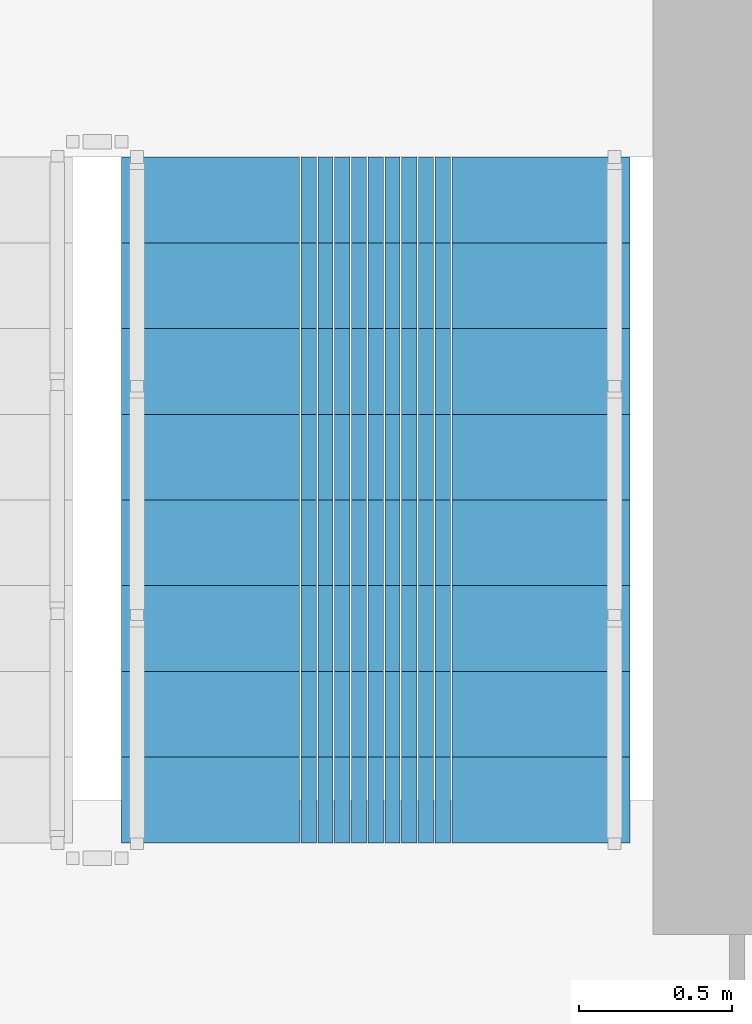
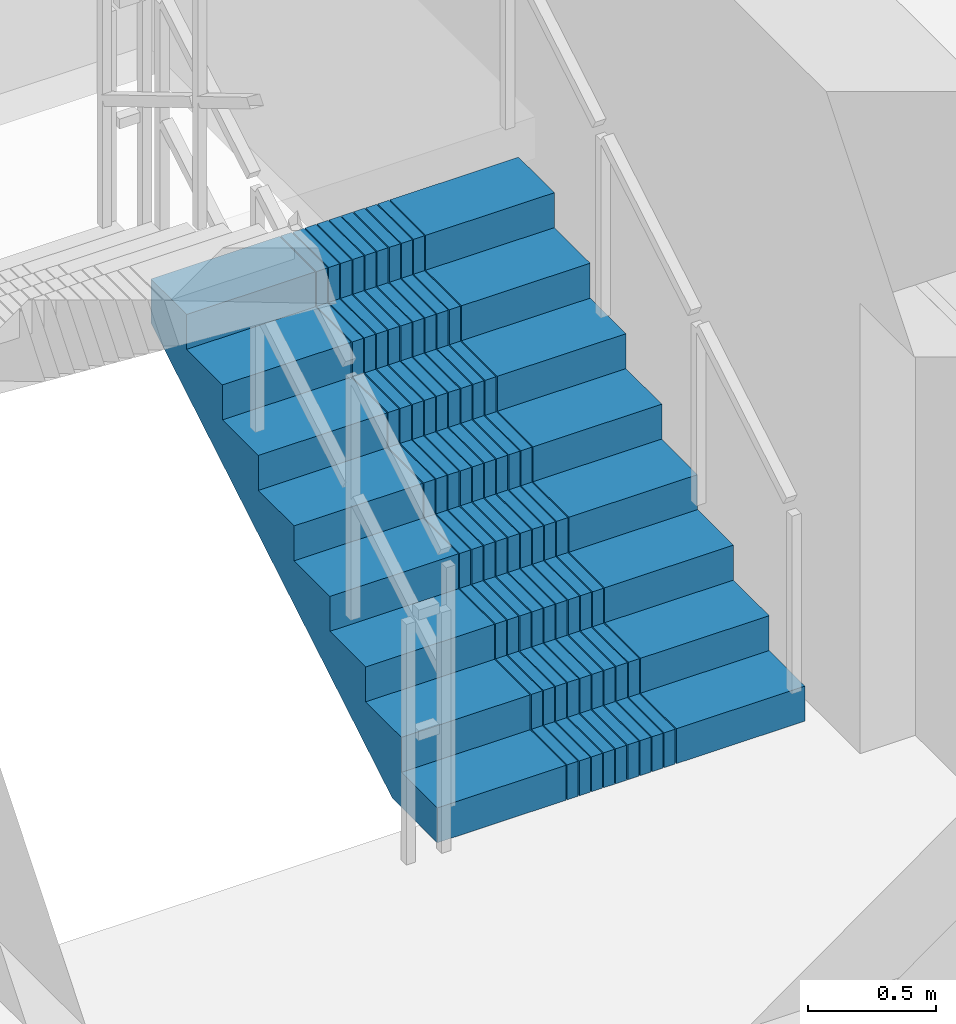
# One storey, part 10 of 14: 1 stair flight, 1 element without a shape of its own.
"""IFC4 building model written with IfcOpenShell, lengths in metres."""

import ifcopenshell
import ifcopenshell.guid

model = None  # the IFC model being written
_history = None  # IfcOwnerHistory: only IFC2X3 demands one
_inside = {}  # id of a spatial element -> (the spatial element, [elements in it])
_under = {}  # id of a project, library or spatial element -> (it, [spatial elements below it])
_declared = {}  # id of a project -> (the project, [libraries it declares])
_typed = {}  # id of a type object -> (the type object, [elements of that type])
_made_of = {}  # id of a material, layer set ... -> (it, [elements and type objects made of it])


def new_model(schema):
    """Start an empty IFC model of exactly this schema.

    Asked for "IFC4X3", IfcOpenShell would pick the latest addendum, in which some entities
    have other attributes; the version numbers below select the first issue.
    IFC2X3 requires an IfcOwnerHistory on every rooted entity: one is made here for all.
    """
    global model, _history
    if schema == "IFC4X3":
        model = ifcopenshell.file(schema_version=(4, 3, 0, 0))
    else:
        model = ifcopenshell.file(schema=schema)
    _inside.clear()
    _under.clear()
    _declared.clear()
    _typed.clear()
    _made_of.clear()
    _history = None
    if model.schema == "IFC2X3":
        org = make("IfcOrganization", Name="unknown")
        user = make(
            "IfcPersonAndOrganization",
            ThePerson=make("IfcPerson", FamilyName="unknown"),
            TheOrganization=org,
        )
        app = make(
            "IfcApplication",
            ApplicationDeveloper=org,
            Version="unknown",
            ApplicationFullName="unknown",
            ApplicationIdentifier="unknown",
        )
        _history = make(
            "IfcOwnerHistory",
            OwningUser=user,
            OwningApplication=app,
            ChangeAction="ADDED",
            CreationDate=0,
        )
    return model


def make(cls, **values):
    """One entity of the class cls with the attributes given. An attribute that is None is left unset."""
    return model.create_entity(
        cls, **{name: value for name, value in values.items() if value is not None}
    )


def rooted(cls, **values):
    """An entity with a GlobalId (a new one), such as an element, a storey or a relation."""
    return make(cls, GlobalId=ifcopenshell.guid.new(), OwnerHistory=_history, **values)


def si_unit(unit_type, name, prefix=None):
    """IfcSIUnit, for example si_unit("LENGTHUNIT", "METRE", prefix="MILLI")."""
    return make("IfcSIUnit", UnitType=unit_type, Prefix=prefix, Name=name)


def assignment(units):
    """IfcUnitAssignment: the units of a project."""
    return None if units is None else make("IfcUnitAssignment", Units=units)


def point(xyz):
    """IfcCartesianPoint."""
    return None if xyz is None else make("IfcCartesianPoint", Coordinates=xyz)


def direction(xyz):
    """IfcDirection."""
    return None if xyz is None else make("IfcDirection", DirectionRatios=xyz)


def frame(location, z_axis=None, x_axis=None):
    """IfcAxis2Placement3D, a coordinate frame: its origin and axes. An axis left out is left unset."""
    return make(
        "IfcAxis2Placement3D",
        Location=point(location),
        Axis=direction(z_axis),
        RefDirection=direction(x_axis),
    )


def origin():
    """The frame at (0, 0, 0) with its axes left unset."""
    return frame((0.0, 0.0, 0.0))


def place(relative_to, where):
    """IfcLocalPlacement: puts the frame where relative to a parent placement (None: the world)."""
    return make(
        "IfcLocalPlacement", PlacementRelTo=relative_to, RelativePlacement=where
    )


def context(
    kind, dimensions, precision=None, world=None, true_north=None, identifier=None
):
    """IfcGeometricRepresentationContext, for example the 3D "Model" context."""
    return make(
        "IfcGeometricRepresentationContext",
        ContextIdentifier=identifier,
        ContextType=kind,
        CoordinateSpaceDimension=dimensions,
        Precision=precision,
        WorldCoordinateSystem=world,
        TrueNorth=true_north,
    )


def subcontext(parent, identifier, kind, view, scale=None):
    """IfcGeometricRepresentationSubContext, for example "Body" below "Model"."""
    return make(
        "IfcGeometricRepresentationSubContext",
        ContextIdentifier=identifier,
        ContextType=kind,
        ParentContext=parent,
        TargetScale=scale,
        TargetView=view,
    )


def project(units=None, contexts=None):
    """IfcProject with its units and contexts."""
    return rooted(
        "IfcProject",
        Name="project",
        RepresentationContexts=contexts,
        UnitsInContext=assignment(units),
    )


def spatial(cls, under=None, at=None, **own):
    """A site, building, storey or space (cls), placed at a placement, below another one or the project."""
    s = rooted(cls, ObjectPlacement=at, **own)
    if under is not None:
        _under.setdefault(under.id(), (under, []))[1].append(s)
    return s


def polyline(points):
    """IfcPolyline through the points."""
    return make("IfcPolyline", Points=[point(p) for p in points])


def outline(outer, holes=None, kind="AREA"):
    """IfcArbitraryClosedProfileDef: a profile drawn as a closed curve; with holes, ...WithVoids."""
    if holes is None:
        return make("IfcArbitraryClosedProfileDef", ProfileType=kind, OuterCurve=outer)
    return make(
        "IfcArbitraryProfileDefWithVoids",
        ProfileType=kind,
        OuterCurve=outer,
        InnerCurves=holes,
    )


def extrude(swept, where, along, depth):
    """IfcExtrudedAreaSolid: the profile swept, set in the frame where, extruded along a direction by depth."""
    return make(
        "IfcExtrudedAreaSolid",
        SweptArea=swept,
        Position=where,
        ExtrudedDirection=direction(along),
        Depth=depth,
    )


def shape(context_of_items, identifier, shape_type, items):
    """IfcShapeRepresentation: the items that make up one representation, for example the "Body"."""
    return make(
        "IfcShapeRepresentation",
        ContextOfItems=context_of_items,
        RepresentationIdentifier=identifier,
        RepresentationType=shape_type,
        Items=items,
    )


def material(Name=None, Category=None):
    """IfcMaterial."""
    return make("IfcMaterial", Name=Name, Category=Category)


def made_of(thing, what):
    """Note that an element or type object is made of a material, layer set ...; save() writes the relation."""
    if what is not None:
        _made_of.setdefault(what.id(), (what, []))[1].append(thing)
    return thing


def type_object(cls, material=None, **own):
    """A type object (cls), such as IfcWallType, which elements share."""
    return made_of(rooted(cls, **own), material)


def element(
    cls,
    number,
    at=None,
    inside=None,
    cuts=None,
    type_object=None,
    material=None,
    context=None,
    identifier="Body",
    shape_type=None,
    held_by="IfcProductDefinitionShape",
    body=None,
    shapes=None,
    **own,
):
    """One element of the class cls, such as IfcWall. Its Tag is "e" and its number.

    at: its placement. inside: the storey or other place that contains it. cuts: it is an
    opening in that element (IfcRelVoidsElement). A single representation is given by context,
    identifier, shape_type and body (its items); several are given by shapes. held_by: the class
    of the entity that holds the representations. save() writes the other relations.
    """
    e = rooted(cls, Tag="e%d" % number, ObjectPlacement=at, **own)
    if body is not None:
        shapes = [shape(context, identifier, shape_type, body)]
    if shapes is not None:
        e.Representation = make(held_by, Representations=shapes)
    if inside is not None:
        _inside.setdefault(inside.id(), (inside, []))[1].append(e)
    if cuts is not None:
        rooted(
            "IfcRelVoidsElement", RelatingBuildingElement=cuts, RelatedOpeningElement=e
        )
    if type_object is not None:
        _typed.setdefault(type_object.id(), (type_object, []))[1].append(e)
    return made_of(e, material)


def aggregate(whole, parts):
    """IfcRelAggregates: a whole, such as a stair, and the parts it consists of."""
    return rooted("IfcRelAggregates", RelatingObject=whole, RelatedObjects=parts)


def save(model, path):
    """Write the relations noted so far, then the file.

    IfcRelAggregates (storeys below a building ...), IfcRelContainedInSpatialStructure (elements
    in a storey), IfcRelDefinesByType, IfcRelAssociatesMaterial and IfcRelDeclares: one each for
    every whole, place, type object, material and project.
    """
    for whole, parts in _under.values():
        aggregate(whole, parts)
    for where, things in _inside.values():
        rooted(
            "IfcRelContainedInSpatialStructure",
            RelatedElements=things,
            RelatingStructure=where,
        )
    for kind, things in _typed.values():
        rooted("IfcRelDefinesByType", RelatedObjects=things, RelatingType=kind)
    for what, things in _made_of.values():
        rooted("IfcRelAssociatesMaterial", RelatedObjects=things, RelatingMaterial=what)
    for by, libraries in _declared.values():
        rooted("IfcRelDeclares", RelatingContext=by, RelatedDefinitions=libraries)
    model.write(path)


model = new_model("IFC4")

# Units and contexts
model_context = context("Model", 3, precision=1e-05, world=origin(), true_north=direction((0.0, 1.0)))
body_context = subcontext(model_context, "Body", "Model", "MODEL_VIEW")
ifc_project = project(units=[si_unit("LENGTHUNIT", "METRE"), si_unit("AREAUNIT", "SQUARE_METRE"), si_unit("VOLUMEUNIT", "CUBIC_METRE"), si_unit("PLANEANGLEUNIT", "RADIAN"), si_unit("MASSUNIT", "GRAM", prefix="KILO")], contexts=[model_context])

# Site, building, storey
site_placement = place(None, origin())
site = spatial("IfcSite", under=ifc_project, at=site_placement, CompositionType="ELEMENT")
building_placement = place(site_placement, origin())
building = spatial("IfcBuilding", under=site, at=building_placement, Name="Saelheon Loggia Tower", CompositionType="ELEMENT")
storey_placement = place(building_placement, frame((0.0, 0.0, 119.85009765625)))
storey = spatial("IfcBuildingStorey", under=building, at=storey_placement, Name="L38", CompositionType="ELEMENT", Elevation=119.85009765625)

# Stair, stair flight
ifc_material = material(Name="Concrete C40/50", Category="concrete")
stair_type = type_object("IfcStairType", Name="Stair_Escape_Core", PredefinedType="HALF_TURN_STAIR", material=ifc_material)
stair_placement = place(storey_placement, origin())
stair = element("IfcStair", 1, at=stair_placement, inside=storey, type_object=stair_type, Name="L38 Special Escape Stair ST2", PredefinedType="HALF_TURN_STAIR")
stair_flight_type = type_object("IfcStairFlightType", Name="StairFlight_Tower_1660", PredefinedType="STRAIGHT", material=ifc_material)
stair_flight_placement = place(storey_placement, frame((43.320068359375, 30.449951171875, 0.0), z_axis=(0.0, 0.0, 1.0), x_axis=(0.0, 1.0, 0.0)))
stair_flight = element("IfcStairFlight", 2, at=stair_flight_placement, type_object=stair_flight_type, Name="ST2 flight 1", NumberOfRisers=9, NumberOfTreads=8, PredefinedType="STRAIGHT", RiserHeight=0.166666667, TreadLength=0.28, context=body_context, shape_type="SweptSolid", body=[
    extrude(outline(polyline([(0.0, 0.0), (0.0, 0.166748046875), (0.280029296875, 0.166748046875), (0.280029296875, 0.333251953125), (0.56005859375, 0.333251953125), (0.56005859375, 0.5), (0.840087890625, 0.5), (0.840087890625, 0.666748046875), (1.1201171875, 0.666748046875), (1.1201171875, 0.833251953125), (1.39990234375, 0.833251953125), (1.39990234375, 1.0), (1.679931640625, 1.0), (1.679931640625, 1.166748046875), (1.9599609375, 1.166748046875), (1.9599609375, 1.333251953125), (2.239990234375, 1.333251953125), (2.239990234375, 1.5), (2.239990234375, 1.1240234375), (0.351806640625, 0.0), (0.0, 0.0)])), frame((0.0, -0.2490234375, 0.0), z_axis=(0.0, -1.0, 0.0), x_axis=(1.0, 0.0, 0.0)), (0.0, 0.0, 1.0), 0.5810546875),
    extrude(outline(polyline([(0.0, 0.0), (0.0, 0.166748046875), (0.280029296875, 0.166748046875), (0.280029296875, 0.333251953125), (0.56005859375, 0.333251953125), (0.56005859375, 0.5), (0.840087890625, 0.5), (0.840087890625, 0.666748046875), (1.1201171875, 0.666748046875), (1.1201171875, 0.833251953125), (1.39990234375, 0.833251953125), (1.39990234375, 1.0), (1.679931640625, 1.0), (1.679931640625, 1.166748046875), (1.9599609375, 1.166748046875), (1.9599609375, 1.333251953125), (2.239990234375, 1.333251953125), (2.239990234375, 1.5), (2.239990234375, 1.1240234375), (0.351806640625, 0.0), (0.0, 0.0)])), frame((0.0, -0.194091796875, 0.0), z_axis=(0.0, -1.0, 0.0), x_axis=(1.0, 0.0, 0.0)), (0.0, 0.0, 1.0), 0.0498046875),
    extrude(outline(polyline([(0.0, 0.0), (0.0, 0.166748046875), (0.280029296875, 0.166748046875), (0.280029296875, 0.333251953125), (0.56005859375, 0.333251953125), (0.56005859375, 0.5), (0.840087890625, 0.5), (0.840087890625, 0.666748046875), (1.1201171875, 0.666748046875), (1.1201171875, 0.833251953125), (1.39990234375, 0.833251953125), (1.39990234375, 1.0), (1.679931640625, 1.0), (1.679931640625, 1.166748046875), (1.9599609375, 1.166748046875), (1.9599609375, 1.333251953125), (2.239990234375, 1.333251953125), (2.239990234375, 1.5), (2.239990234375, 1.1240234375), (0.351806640625, 0.0), (0.0, 0.0)])), frame((0.0, -0.139404296875, 0.0), z_axis=(0.0, -1.0, 0.0), x_axis=(1.0, 0.0, 0.0)), (0.0, 0.0, 1.0), 0.0498046875),
    extrude(outline(polyline([(0.0, 0.0), (0.0, 0.166748046875), (0.280029296875, 0.166748046875), (0.280029296875, 0.333251953125), (0.56005859375, 0.333251953125), (0.56005859375, 0.5), (0.840087890625, 0.5), (0.840087890625, 0.666748046875), (1.1201171875, 0.666748046875), (1.1201171875, 0.833251953125), (1.39990234375, 0.833251953125), (1.39990234375, 1.0), (1.679931640625, 1.0), (1.679931640625, 1.166748046875), (1.9599609375, 1.166748046875), (1.9599609375, 1.333251953125), (2.239990234375, 1.333251953125), (2.239990234375, 1.5), (2.239990234375, 1.1240234375), (0.351806640625, 0.0), (0.0, 0.0)])), frame((0.0, -0.084716796875, 0.0), z_axis=(0.0, -1.0, 0.0), x_axis=(1.0, 0.0, 0.0)), (0.0, 0.0, 1.0), 0.0498046875),
    extrude(outline(polyline([(0.0, 0.0), (0.0, 0.166748046875), (0.280029296875, 0.166748046875), (0.280029296875, 0.333251953125), (0.56005859375, 0.333251953125), (0.56005859375, 0.5), (0.840087890625, 0.5), (0.840087890625, 0.666748046875), (1.1201171875, 0.666748046875), (1.1201171875, 0.833251953125), (1.39990234375, 0.833251953125), (1.39990234375, 1.0), (1.679931640625, 1.0), (1.679931640625, 1.166748046875), (1.9599609375, 1.166748046875), (1.9599609375, 1.333251953125), (2.239990234375, 1.333251953125), (2.239990234375, 1.5), (2.239990234375, 1.1240234375), (0.351806640625, 0.0), (0.0, 0.0)])), frame((0.0, -0.02978515625, 0.0), z_axis=(0.0, -1.0, 0.0), x_axis=(1.0, 0.0, 0.0)), (0.0, 0.0, 1.0), 0.0498046875),
    extrude(outline(polyline([(0.0, 0.0), (0.0, 0.166748046875), (0.280029296875, 0.166748046875), (0.280029296875, 0.333251953125), (0.56005859375, 0.333251953125), (0.56005859375, 0.5), (0.840087890625, 0.5), (0.840087890625, 0.666748046875), (1.1201171875, 0.666748046875), (1.1201171875, 0.833251953125), (1.39990234375, 0.833251953125), (1.39990234375, 1.0), (1.679931640625, 1.0), (1.679931640625, 1.166748046875), (1.9599609375, 1.166748046875), (1.9599609375, 1.333251953125), (2.239990234375, 1.333251953125), (2.239990234375, 1.5), (2.239990234375, 1.1240234375), (0.351806640625, 0.0), (0.0, 0.0)])), frame((0.0, 0.02490234375, 0.0), z_axis=(0.0, -1.0, 0.0), x_axis=(1.0, 0.0, 0.0)), (0.0, 0.0, 1.0), 0.0498046875),
    extrude(outline(polyline([(0.0, 0.0), (0.0, 0.166748046875), (0.280029296875, 0.166748046875), (0.280029296875, 0.333251953125), (0.56005859375, 0.333251953125), (0.56005859375, 0.5), (0.840087890625, 0.5), (0.840087890625, 0.666748046875), (1.1201171875, 0.666748046875), (1.1201171875, 0.833251953125), (1.39990234375, 0.833251953125), (1.39990234375, 1.0), (1.679931640625, 1.0), (1.679931640625, 1.166748046875), (1.9599609375, 1.166748046875), (1.9599609375, 1.333251953125), (2.239990234375, 1.333251953125), (2.239990234375, 1.5), (2.239990234375, 1.1240234375), (0.351806640625, 0.0), (0.0, 0.0)])), frame((0.0, 0.07958984375, 0.0), z_axis=(0.0, -1.0, 0.0), x_axis=(1.0, 0.0, 0.0)), (0.0, 0.0, 1.0), 0.0498046875),
    extrude(outline(polyline([(0.0, 0.0), (0.0, 0.166748046875), (0.280029296875, 0.166748046875), (0.280029296875, 0.333251953125), (0.56005859375, 0.333251953125), (0.56005859375, 0.5), (0.840087890625, 0.5), (0.840087890625, 0.666748046875), (1.1201171875, 0.666748046875), (1.1201171875, 0.833251953125), (1.39990234375, 0.833251953125), (1.39990234375, 1.0), (1.679931640625, 1.0), (1.679931640625, 1.166748046875), (1.9599609375, 1.166748046875), (1.9599609375, 1.333251953125), (2.239990234375, 1.333251953125), (2.239990234375, 1.5), (2.239990234375, 1.1240234375), (0.351806640625, 0.0), (0.0, 0.0)])), frame((0.0, 0.134521484375, 0.0), z_axis=(0.0, -1.0, 0.0), x_axis=(1.0, 0.0, 0.0)), (0.0, 0.0, 1.0), 0.0498046875),
    extrude(outline(polyline([(0.0, 0.0), (0.0, 0.166748046875), (0.280029296875, 0.166748046875), (0.280029296875, 0.333251953125), (0.56005859375, 0.333251953125), (0.56005859375, 0.5), (0.840087890625, 0.5), (0.840087890625, 0.666748046875), (1.1201171875, 0.666748046875), (1.1201171875, 0.833251953125), (1.39990234375, 0.833251953125), (1.39990234375, 1.0), (1.679931640625, 1.0), (1.679931640625, 1.166748046875), (1.9599609375, 1.166748046875), (1.9599609375, 1.333251953125), (2.239990234375, 1.333251953125), (2.239990234375, 1.5), (2.239990234375, 1.1240234375), (0.351806640625, 0.0), (0.0, 0.0)])), frame((0.0, 0.189208984375, 0.0), z_axis=(0.0, -1.0, 0.0), x_axis=(1.0, 0.0, 0.0)), (0.0, 0.0, 1.0), 0.0498046875),
    extrude(outline(polyline([(0.0, 0.0), (0.0, 0.166748046875), (0.280029296875, 0.166748046875), (0.280029296875, 0.333251953125), (0.56005859375, 0.333251953125), (0.56005859375, 0.5), (0.840087890625, 0.5), (0.840087890625, 0.666748046875), (1.1201171875, 0.666748046875), (1.1201171875, 0.833251953125), (1.39990234375, 0.833251953125), (1.39990234375, 1.0), (1.679931640625, 1.0), (1.679931640625, 1.166748046875), (1.9599609375, 1.166748046875), (1.9599609375, 1.333251953125), (2.239990234375, 1.333251953125), (2.239990234375, 1.5), (2.239990234375, 1.1240234375), (0.351806640625, 0.0), (0.0, 0.0)])), frame((0.0, 0.243896484375, 0.0), z_axis=(0.0, -1.0, 0.0), x_axis=(1.0, 0.0, 0.0)), (0.0, 0.0, 1.0), 0.0498046875),
    extrude(outline(polyline([(0.0, 0.0), (0.0, 0.166748046875), (0.280029296875, 0.166748046875), (0.280029296875, 0.333251953125), (0.56005859375, 0.333251953125), (0.56005859375, 0.5), (0.840087890625, 0.5), (0.840087890625, 0.666748046875), (1.1201171875, 0.666748046875), (1.1201171875, 0.833251953125), (1.39990234375, 0.833251953125), (1.39990234375, 1.0), (1.679931640625, 1.0), (1.679931640625, 1.166748046875), (1.9599609375, 1.166748046875), (1.9599609375, 1.333251953125), (2.239990234375, 1.333251953125), (2.239990234375, 1.5), (2.239990234375, 1.1240234375), (0.351806640625, 0.0), (0.0, 0.0)])), frame((0.0, 0.830078125, 0.0), z_axis=(0.0, -1.0, 0.0), x_axis=(1.0, 0.0, 0.0)), (0.0, 0.0, 1.0), 0.5810546875),
])
aggregate(stair, [stair_flight])

save(model, "model.ifc")
